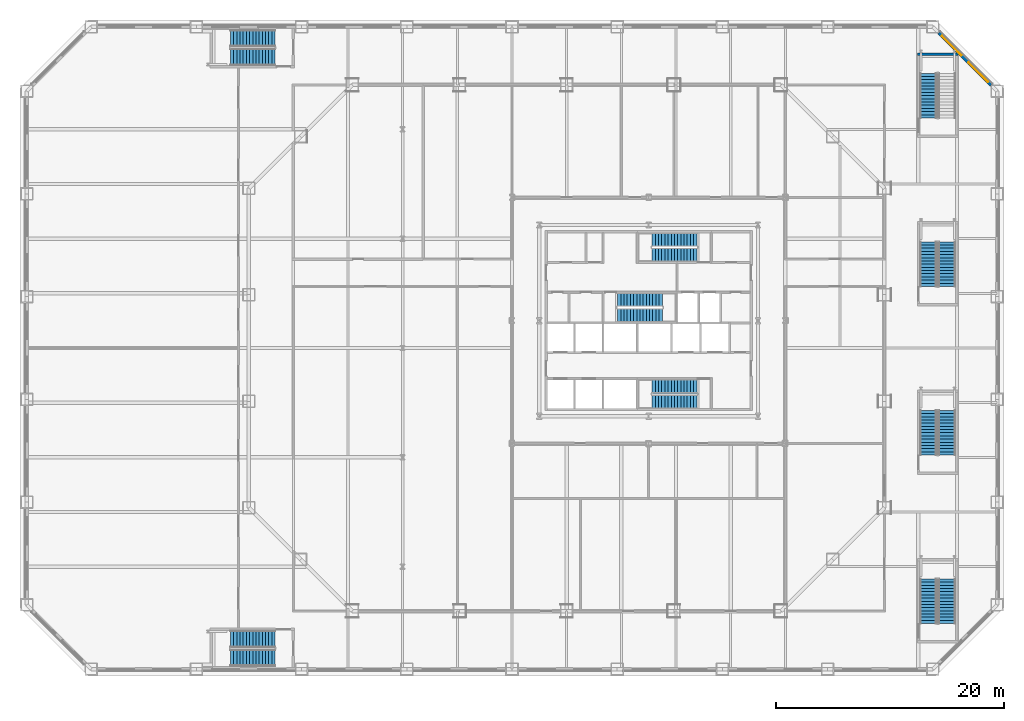
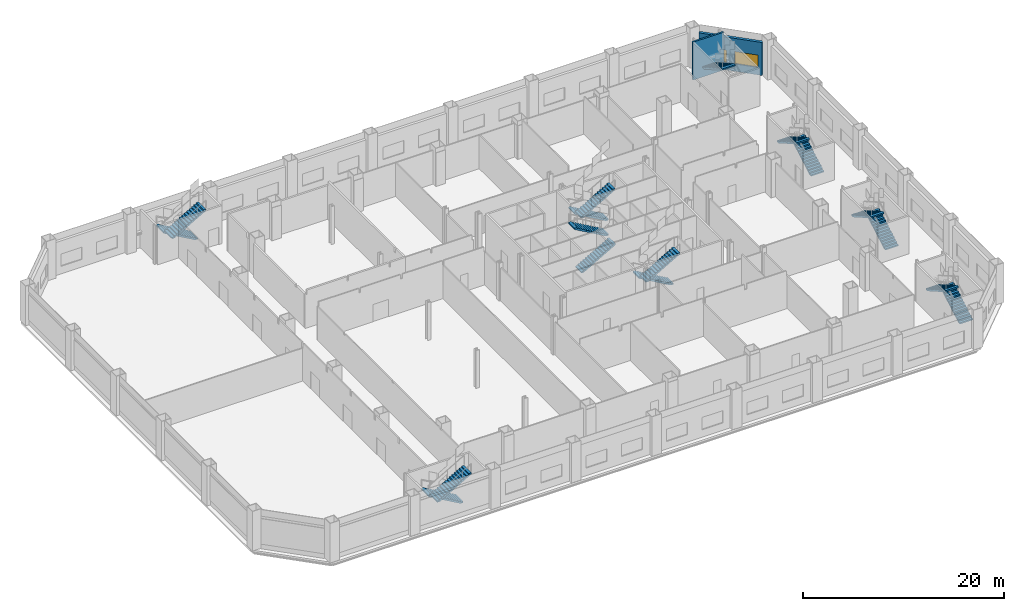
# One storey, part 19 of 26: 17 stair flights, 2 walls, 2 windows, 2 openings, 9 elements without a shape of their own.
"""IFC4 building model written with IfcOpenShell, lengths in metres."""

import ifcopenshell
import ifcopenshell.guid

model = None  # the IFC model being written
_history = None  # IfcOwnerHistory: only IFC2X3 demands one
_inside = {}  # id of a spatial element -> (the spatial element, [elements in it])
_under = {}  # id of a project, library or spatial element -> (it, [spatial elements below it])
_declared = {}  # id of a project -> (the project, [libraries it declares])
_typed = {}  # id of a type object -> (the type object, [elements of that type])
_made_of = {}  # id of a material, layer set ... -> (it, [elements and type objects made of it])


def new_model(schema):
    """Start an empty IFC model of exactly this schema.

    Asked for "IFC4X3", IfcOpenShell would pick the latest addendum, in which some entities
    have other attributes; the version numbers below select the first issue.
    IFC2X3 requires an IfcOwnerHistory on every rooted entity: one is made here for all.
    """
    global model, _history
    if schema == "IFC4X3":
        model = ifcopenshell.file(schema_version=(4, 3, 0, 0))
    else:
        model = ifcopenshell.file(schema=schema)
    _inside.clear()
    _under.clear()
    _declared.clear()
    _typed.clear()
    _made_of.clear()
    _history = None
    if model.schema == "IFC2X3":
        org = make("IfcOrganization", Name="unknown")
        user = make(
            "IfcPersonAndOrganization",
            ThePerson=make("IfcPerson", FamilyName="unknown"),
            TheOrganization=org,
        )
        app = make(
            "IfcApplication",
            ApplicationDeveloper=org,
            Version="unknown",
            ApplicationFullName="unknown",
            ApplicationIdentifier="unknown",
        )
        _history = make(
            "IfcOwnerHistory",
            OwningUser=user,
            OwningApplication=app,
            ChangeAction="ADDED",
            CreationDate=0,
        )
    return model


def make(cls, **values):
    """One entity of the class cls with the attributes given. An attribute that is None is left unset."""
    return model.create_entity(
        cls, **{name: value for name, value in values.items() if value is not None}
    )


def rooted(cls, **values):
    """An entity with a GlobalId (a new one), such as an element, a storey or a relation."""
    return make(cls, GlobalId=ifcopenshell.guid.new(), OwnerHistory=_history, **values)


def si_unit(unit_type, name, prefix=None):
    """IfcSIUnit, for example si_unit("LENGTHUNIT", "METRE", prefix="MILLI")."""
    return make("IfcSIUnit", UnitType=unit_type, Prefix=prefix, Name=name)


def assignment(units):
    """IfcUnitAssignment: the units of a project."""
    return None if units is None else make("IfcUnitAssignment", Units=units)


def point(xyz):
    """IfcCartesianPoint."""
    return None if xyz is None else make("IfcCartesianPoint", Coordinates=xyz)


def direction(xyz):
    """IfcDirection."""
    return None if xyz is None else make("IfcDirection", DirectionRatios=xyz)


def frame(location, z_axis=None, x_axis=None):
    """IfcAxis2Placement3D, a coordinate frame: its origin and axes. An axis left out is left unset."""
    return make(
        "IfcAxis2Placement3D",
        Location=point(location),
        Axis=direction(z_axis),
        RefDirection=direction(x_axis),
    )


def frame_2d(location, x_axis=None):
    """IfcAxis2Placement2D, a coordinate frame in the plane: its origin and x axis."""
    return make(
        "IfcAxis2Placement2D", Location=point(location), RefDirection=direction(x_axis)
    )


def origin():
    """The frame at (0, 0, 0) with its axes left unset."""
    return frame((0.0, 0.0, 0.0))


def place(relative_to, where):
    """IfcLocalPlacement: puts the frame where relative to a parent placement (None: the world)."""
    return make(
        "IfcLocalPlacement", PlacementRelTo=relative_to, RelativePlacement=where
    )


def context(
    kind, dimensions, precision=None, world=None, true_north=None, identifier=None
):
    """IfcGeometricRepresentationContext, for example the 3D "Model" context."""
    return make(
        "IfcGeometricRepresentationContext",
        ContextIdentifier=identifier,
        ContextType=kind,
        CoordinateSpaceDimension=dimensions,
        Precision=precision,
        WorldCoordinateSystem=world,
        TrueNorth=true_north,
    )


def subcontext(parent, identifier, kind, view, scale=None):
    """IfcGeometricRepresentationSubContext, for example "Body" below "Model"."""
    return make(
        "IfcGeometricRepresentationSubContext",
        ContextIdentifier=identifier,
        ContextType=kind,
        ParentContext=parent,
        TargetScale=scale,
        TargetView=view,
    )


def project(units=None, contexts=None):
    """IfcProject with its units and contexts."""
    return rooted(
        "IfcProject",
        Name="project",
        RepresentationContexts=contexts,
        UnitsInContext=assignment(units),
    )


def spatial(cls, under=None, at=None, **own):
    """A site, building, storey or space (cls), placed at a placement, below another one or the project."""
    s = rooted(cls, ObjectPlacement=at, **own)
    if under is not None:
        _under.setdefault(under.id(), (under, []))[1].append(s)
    return s


def polyline(points):
    """IfcPolyline through the points."""
    return make("IfcPolyline", Points=[point(p) for p in points])


def profile(cls, at=None, kind="AREA", **sizes):
    """A parametric profile (cls). Its sizes go by their IFC names, for example OverallWidth=200.0."""
    return make(cls, ProfileType=kind, Position=at, **sizes)


def rectangle(**sizes):
    """IfcRectangleProfileDef."""
    return profile("IfcRectangleProfileDef", **sizes)


def outline(outer, holes=None, kind="AREA"):
    """IfcArbitraryClosedProfileDef: a profile drawn as a closed curve; with holes, ...WithVoids."""
    if holes is None:
        return make("IfcArbitraryClosedProfileDef", ProfileType=kind, OuterCurve=outer)
    return make(
        "IfcArbitraryProfileDefWithVoids",
        ProfileType=kind,
        OuterCurve=outer,
        InnerCurves=holes,
    )


def extrude(swept, where, along, depth):
    """IfcExtrudedAreaSolid: the profile swept, set in the frame where, extruded along a direction by depth."""
    return make(
        "IfcExtrudedAreaSolid",
        SweptArea=swept,
        Position=where,
        ExtrudedDirection=direction(along),
        Depth=depth,
    )


def shape(context_of_items, identifier, shape_type, items):
    """IfcShapeRepresentation: the items that make up one representation, for example the "Body"."""
    return make(
        "IfcShapeRepresentation",
        ContextOfItems=context_of_items,
        RepresentationIdentifier=identifier,
        RepresentationType=shape_type,
        Items=items,
    )


def material(Name=None, Category=None):
    """IfcMaterial."""
    return make("IfcMaterial", Name=Name, Category=Category)


def layer(
    of_material, thickness, ventilated=None, Name=None, Category=None, Priority=None
):
    """IfcMaterialLayer: one layer of a wall or slab, of a material (None: an air gap)."""
    return make(
        "IfcMaterialLayer",
        Material=of_material,
        LayerThickness=thickness,
        IsVentilated=ventilated,
        Name=Name,
        Category=Category,
        Priority=Priority,
    )


def layer_set(layers, Name=None):
    """IfcMaterialLayerSet."""
    return make("IfcMaterialLayerSet", MaterialLayers=layers, LayerSetName=Name)


def made_of(thing, what):
    """Note that an element or type object is made of a material, layer set ...; save() writes the relation."""
    if what is not None:
        _made_of.setdefault(what.id(), (what, []))[1].append(thing)
    return thing


def type_object(cls, material=None, **own):
    """A type object (cls), such as IfcWallType, which elements share."""
    return made_of(rooted(cls, **own), material)


def element(
    cls,
    number,
    at=None,
    inside=None,
    cuts=None,
    type_object=None,
    material=None,
    context=None,
    identifier="Body",
    shape_type=None,
    held_by="IfcProductDefinitionShape",
    body=None,
    shapes=None,
    **own,
):
    """One element of the class cls, such as IfcWall. Its Tag is "e" and its number.

    at: its placement. inside: the storey or other place that contains it. cuts: it is an
    opening in that element (IfcRelVoidsElement). A single representation is given by context,
    identifier, shape_type and body (its items); several are given by shapes. held_by: the class
    of the entity that holds the representations. save() writes the other relations.
    """
    e = rooted(cls, Tag="e%d" % number, ObjectPlacement=at, **own)
    if body is not None:
        shapes = [shape(context, identifier, shape_type, body)]
    if shapes is not None:
        e.Representation = make(held_by, Representations=shapes)
    if inside is not None:
        _inside.setdefault(inside.id(), (inside, []))[1].append(e)
    if cuts is not None:
        rooted(
            "IfcRelVoidsElement", RelatingBuildingElement=cuts, RelatedOpeningElement=e
        )
    if type_object is not None:
        _typed.setdefault(type_object.id(), (type_object, []))[1].append(e)
    return made_of(e, material)


def fill(opening, filler):
    """IfcRelFillsElement: the door or window that sits in an opening."""
    return rooted(
        "IfcRelFillsElement",
        RelatingOpeningElement=opening,
        RelatedBuildingElement=filler,
    )


def aggregate(whole, parts):
    """IfcRelAggregates: a whole, such as a stair, and the parts it consists of."""
    return rooted("IfcRelAggregates", RelatingObject=whole, RelatedObjects=parts)


def save(model, path):
    """Write the relations noted so far, then the file.

    IfcRelAggregates (storeys below a building ...), IfcRelContainedInSpatialStructure (elements
    in a storey), IfcRelDefinesByType, IfcRelAssociatesMaterial and IfcRelDeclares: one each for
    every whole, place, type object, material and project.
    """
    for whole, parts in _under.values():
        aggregate(whole, parts)
    for where, things in _inside.values():
        rooted(
            "IfcRelContainedInSpatialStructure",
            RelatedElements=things,
            RelatingStructure=where,
        )
    for kind, things in _typed.values():
        rooted("IfcRelDefinesByType", RelatedObjects=things, RelatingType=kind)
    for what, things in _made_of.values():
        rooted("IfcRelAssociatesMaterial", RelatedObjects=things, RelatingMaterial=what)
    for by, libraries in _declared.values():
        rooted("IfcRelDeclares", RelatingContext=by, RelatedDefinitions=libraries)
    model.write(path)


model = new_model("IFC4")

# Units and contexts
model_context = context("Model", 3, precision=1e-05, world=origin(), true_north=direction((0.0, 1.0)))
body_context = subcontext(model_context, "Body", "Model", "MODEL_VIEW")
ifc_project = project(units=[si_unit("LENGTHUNIT", "METRE"), si_unit("AREAUNIT", "SQUARE_METRE"), si_unit("VOLUMEUNIT", "CUBIC_METRE"), si_unit("PLANEANGLEUNIT", "RADIAN"), si_unit("MASSUNIT", "GRAM", prefix="KILO")], contexts=[model_context])

# Site, building, storey
site_placement = place(None, origin())
site = spatial("IfcSite", under=ifc_project, at=site_placement, CompositionType="ELEMENT")
building_placement = place(site_placement, origin())
building = spatial("IfcBuilding", under=site, at=building_placement, Name="Cairn Pilgrim Tower", CompositionType="ELEMENT")
storey_placement = place(building_placement, frame((0.0, 0.0, 21.0)))
storey = spatial("IfcBuildingStorey", under=building, at=storey_placement, Name="L03", CompositionType="ELEMENT", Elevation=21.0)

# Wall
ifc_material_1 = material(Name="Concrete C35/45", Category="concrete")
ifc_layer_1 = layer(ifc_material_1, 0.199951171875)
ifc_layer_set_1 = layer_set([ifc_layer_1], Name="PODIUM STAIR WALL 200 EI 120")
wall_type_1 = type_object("IfcWallType", Name="PODIUM STAIR WALL 200 EI 120", PredefinedType="SOLIDWALL", material=ifc_layer_set_1)
wall_1_placement = place(storey_placement, frame((30.800048828125, 25.800048828125, 0.0), z_axis=(0.0, 0.0, 1.0), x_axis=(1.0, 0.0, 0.0)))
element("IfcWall", 1, at=wall_1_placement, inside=storey, type_object=wall_type_1, Name="STAIR SHAFT WALL W077", PredefinedType="SOLIDWALL", context=body_context, shape_type="SweptSolid", body=[
    extrude(rectangle(XDim=3.550048828125, YDim=0.199951171875, at=frame_2d((1.77490234375, 0.0))), origin(), (0.0, 0.0, 1.0), 4.60009765625),
])

# Wall, openings, windows
ifc_material_2 = material(Name="Concrete C35/45 backup wall with bronze aluminium cladding", Category="concrete")
ifc_layer_2 = layer(ifc_material_2, 0.300048828125)
ifc_layer_set_2 = layer_set([ifc_layer_2], Name="PODIUM WALL 300 BRONZE-CLAD")
wall_type_2 = type_object("IfcWallType", Name="PODIUM WALL 300 BRONZE-CLAD", PredefinedType="SOLIDWALL", material=ifc_layer_set_2)
wall_2_placement = place(storey_placement, frame((37.276611328125, 23.07470703125, 0.0), z_axis=(0.0, 0.0, 1.0), x_axis=(-0.707088024292, 0.707125537583, 0.0)))
wall_2 = element("IfcWall", 2, at=wall_2_placement, inside=storey, type_object=wall_type_2, Name="PODIUM EXTERNAL WALL NE1-N1", PredefinedType="SOLIDWALL", context=body_context, shape_type="SweptSolid", body=[
    extrude(rectangle(XDim=6.508056640625, YDim=0.300048828125, at=frame_2d((3.25390625, 0.0))), origin(), (0.0, 0.0, 1.0), 4.0),
])
opening_1_placement = place(wall_2_placement, frame((0.427001953125, 0.0, 0.89990234375)))
opening_1 = element("IfcOpeningElement", 3, at=opening_1_placement, cuts=wall_2, Name="Opening PW15", PredefinedType="OPENING", context=body_context, shape_type="SweptSolid", body=[
    extrude(rectangle(XDim=2.39990234375, YDim=1.5, at=frame_2d((1.199951171875, 0.75))), frame((0.0, 0.16015625, 0.0), z_axis=(0.0, -1.0, 0.0), x_axis=(1.0, 0.0, 0.0)), (0.0, 0.0, 1.0), 0.320068359375),
])
opening_2_placement = place(wall_2_placement, frame((3.68115234375, 0.0, 0.89990234375)))
opening_2 = element("IfcOpeningElement", 4, at=opening_2_placement, cuts=wall_2, Name="Opening PW15", PredefinedType="OPENING", context=body_context, shape_type="SweptSolid", body=[
    extrude(rectangle(XDim=2.39990234375, YDim=1.5, at=frame_2d((1.199951171875, 0.75))), frame((0.0, 0.16015625, 0.0), z_axis=(0.0, -1.0, 0.0), x_axis=(1.0, 0.0, 0.0)), (0.0, 0.0, 1.0), 0.320068359375),
])
ifc_material_3 = material(Name="Bronze anodised aluminium frame with tinted low-E glass", Category="aluminium")
window_type = type_object("IfcWindowType", Name="PODIUM FIXED WINDOW 2400x1500", PartitioningType="SINGLE_PANEL", PredefinedType="WINDOW", material=ifc_material_3)
window_1_placement = place(opening_1_placement, origin())
window_1 = element("IfcWindow", 5, at=window_1_placement, inside=storey, type_object=window_type, Name="PODIUM WINDOW", OverallHeight=1.5, OverallWidth=2.39990234375, PartitioningType="SINGLE_PANEL", PredefinedType="WINDOW", context=body_context, shape_type="SweptSolid", body=[
    extrude(rectangle(XDim=2.39990234375, YDim=1.5, at=frame_2d((1.199951171875, 0.75))), frame((0.0, 0.030029296875, 0.0), z_axis=(0.0, -1.0, 0.0), x_axis=(1.0, 0.0, 0.0)), (0.0, 0.0, 1.0), 0.06005859375),
])
fill(opening_1, window_1)
window_2_placement = place(opening_2_placement, origin())
window_2 = element("IfcWindow", 6, at=window_2_placement, inside=storey, type_object=window_type, Name="PODIUM WINDOW", OverallHeight=1.5, OverallWidth=2.39990234375, PartitioningType="SINGLE_PANEL", PredefinedType="WINDOW", context=body_context, shape_type="SweptSolid", body=[
    extrude(rectangle(XDim=2.39990234375, YDim=1.5, at=frame_2d((1.199951171875, 0.75))), frame((0.0, 0.030029296875, 0.0), z_axis=(0.0, -1.0, 0.0), x_axis=(1.0, 0.0, 0.0)), (0.0, 0.0, 1.0), 0.06005859375),
])
fill(opening_2, window_2)

# Stair, stair flights
stair_type_1 = type_object("IfcStairType", Name="PODIUM EXIT STAIR 1500", PredefinedType="HALF_TURN_STAIR", material=ifc_material_1)
stair_1_placement = place(storey_placement, origin())
stair_1 = element("IfcStair", 7, at=stair_1_placement, inside=storey, type_object=stair_type_1, Name="L03 Exit Stair Hn", PredefinedType="HALF_TURN_STAIR")
stair_flight_type_1 = type_object("IfcStairFlightType", Name="PODIUM STAIR FLIGHT 1500", PredefinedType="STRAIGHT", material=ifc_material_1)
stair_flight_1_placement = place(storey_placement, frame((-25.60009765625, 27.199951171875, 0.0), z_axis=(0.0, 0.0, 1.0), x_axis=(-1.0, 0.0, 0.0)))
stair_flight_1 = element("IfcStairFlight", 8, at=stair_flight_1_placement, type_object=stair_flight_type_1, Name="ST-HN flight 1", NumberOfRisers=15, NumberOfTreads=14, PredefinedType="STRAIGHT", RiserHeight=0.16, TreadLength=0.28, context=body_context, shape_type="SweptSolid", body=[
    extrude(outline(polyline([(0.0, 0.0), (0.0, 0.159912109375), (0.280029296875, 0.159912109375), (0.280029296875, 0.320068359375), (0.56005859375, 0.320068359375), (0.56005859375, 0.47998046875), (0.840087890625, 0.47998046875), (0.840087890625, 0.639892578125), (1.1201171875, 0.639892578125), (1.1201171875, 0.800048828125), (1.39990234375, 0.800048828125), (1.39990234375, 0.9599609375), (1.679931640625, 0.9599609375), (1.679931640625, 1.1201171875), (1.9599609375, 1.1201171875), (1.9599609375, 1.280029296875), (2.239990234375, 1.280029296875), (2.239990234375, 1.43994140625), (2.52001953125, 1.43994140625), (2.52001953125, 1.60009765625), (2.800048828125, 1.60009765625), (2.800048828125, 1.760009765625), (3.080078125, 1.760009765625), (3.080078125, 1.919921875), (3.360107421875, 1.919921875), (3.360107421875, 2.080078125), (3.639892578125, 2.080078125), (3.639892578125, 2.239990234375), (3.919921875, 2.239990234375), (3.919921875, 2.39990234375), (3.919921875, 2.0673828125), (0.30224609375, 0.0), (0.0, 0.0)])), frame((0.0, 0.75, 0.0), z_axis=(0.0, -1.0, 0.0), x_axis=(1.0, 0.0, 0.0)), (0.0, 0.0, 1.0), 1.5),
])
stair_flight_2_placement = place(storey_placement, frame((-29.52001953125, 25.550048828125, 2.39990234375), z_axis=(0.0, 0.0, 1.0), x_axis=(1.0, 0.0, 0.0)))
stair_flight_2 = element("IfcStairFlight", 9, at=stair_flight_2_placement, type_object=stair_flight_type_1, Name="ST-HN flight 2", NumberOfRisers=15, NumberOfTreads=14, PredefinedType="STRAIGHT", RiserHeight=0.16, TreadLength=0.28, context=body_context, shape_type="SweptSolid", body=[
    extrude(outline(polyline([(0.0, 0.0), (0.0, 0.159912109375), (0.280029296875, 0.159912109375), (0.280029296875, 0.320068359375), (0.56005859375, 0.320068359375), (0.56005859375, 0.47998046875), (0.840087890625, 0.47998046875), (0.840087890625, 0.639892578125), (1.1201171875, 0.639892578125), (1.1201171875, 0.800048828125), (1.39990234375, 0.800048828125), (1.39990234375, 0.9599609375), (1.679931640625, 0.9599609375), (1.679931640625, 1.1201171875), (1.9599609375, 1.1201171875), (1.9599609375, 1.280029296875), (2.239990234375, 1.280029296875), (2.239990234375, 1.43994140625), (2.52001953125, 1.43994140625), (2.52001953125, 1.60009765625), (2.800048828125, 1.60009765625), (2.800048828125, 1.760009765625), (3.080078125, 1.760009765625), (3.080078125, 1.919921875), (3.360107421875, 1.919921875), (3.360107421875, 2.080078125), (3.639892578125, 2.080078125), (3.639892578125, 2.239990234375), (3.919921875, 2.239990234375), (3.919921875, 2.39990234375), (3.919921875, 2.0673828125), (0.30224609375, 0.0), (0.0, 0.0)])), frame((0.0, 0.75, 0.0), z_axis=(0.0, -1.0, 0.0), x_axis=(1.0, 0.0, 0.0)), (0.0, 0.0, 1.0), 1.5),
])
aggregate(stair_1, [stair_flight_1, stair_flight_2])

stair_2_placement = place(storey_placement, origin())
stair_2 = element("IfcStair", 10, at=stair_2_placement, inside=storey, type_object=stair_type_1, Name="L03 Exit Stair Hs", PredefinedType="HALF_TURN_STAIR")
stair_flight_3_placement = place(storey_placement, frame((-25.60009765625, -25.550048828125, 0.0), z_axis=(0.0, 0.0, 1.0), x_axis=(-1.0, 0.0, 0.0)))
stair_flight_3 = element("IfcStairFlight", 11, at=stair_flight_3_placement, type_object=stair_flight_type_1, Name="ST-HS flight 1", NumberOfRisers=15, NumberOfTreads=14, PredefinedType="STRAIGHT", RiserHeight=0.16, TreadLength=0.28, context=body_context, shape_type="SweptSolid", body=[
    extrude(outline(polyline([(0.0, 0.0), (0.0, 0.159912109375), (0.280029296875, 0.159912109375), (0.280029296875, 0.320068359375), (0.56005859375, 0.320068359375), (0.56005859375, 0.47998046875), (0.840087890625, 0.47998046875), (0.840087890625, 0.639892578125), (1.1201171875, 0.639892578125), (1.1201171875, 0.800048828125), (1.39990234375, 0.800048828125), (1.39990234375, 0.9599609375), (1.679931640625, 0.9599609375), (1.679931640625, 1.1201171875), (1.9599609375, 1.1201171875), (1.9599609375, 1.280029296875), (2.239990234375, 1.280029296875), (2.239990234375, 1.43994140625), (2.52001953125, 1.43994140625), (2.52001953125, 1.60009765625), (2.800048828125, 1.60009765625), (2.800048828125, 1.760009765625), (3.080078125, 1.760009765625), (3.080078125, 1.919921875), (3.360107421875, 1.919921875), (3.360107421875, 2.080078125), (3.639892578125, 2.080078125), (3.639892578125, 2.239990234375), (3.919921875, 2.239990234375), (3.919921875, 2.39990234375), (3.919921875, 2.0673828125), (0.30224609375, 0.0), (0.0, 0.0)])), frame((0.0, 0.75, 0.0), z_axis=(0.0, -1.0, 0.0), x_axis=(1.0, 0.0, 0.0)), (0.0, 0.0, 1.0), 1.5),
])
stair_flight_4_placement = place(storey_placement, frame((-29.52001953125, -27.199951171875, 2.39990234375), z_axis=(0.0, 0.0, 1.0), x_axis=(1.0, 0.0, 0.0)))
stair_flight_4 = element("IfcStairFlight", 12, at=stair_flight_4_placement, type_object=stair_flight_type_1, Name="ST-HS flight 2", NumberOfRisers=15, NumberOfTreads=14, PredefinedType="STRAIGHT", RiserHeight=0.16, TreadLength=0.28, context=body_context, shape_type="SweptSolid", body=[
    extrude(outline(polyline([(0.0, 0.0), (0.0, 0.159912109375), (0.280029296875, 0.159912109375), (0.280029296875, 0.320068359375), (0.56005859375, 0.320068359375), (0.56005859375, 0.47998046875), (0.840087890625, 0.47998046875), (0.840087890625, 0.639892578125), (1.1201171875, 0.639892578125), (1.1201171875, 0.800048828125), (1.39990234375, 0.800048828125), (1.39990234375, 0.9599609375), (1.679931640625, 0.9599609375), (1.679931640625, 1.1201171875), (1.9599609375, 1.1201171875), (1.9599609375, 1.280029296875), (2.239990234375, 1.280029296875), (2.239990234375, 1.43994140625), (2.52001953125, 1.43994140625), (2.52001953125, 1.60009765625), (2.800048828125, 1.60009765625), (2.800048828125, 1.760009765625), (3.080078125, 1.760009765625), (3.080078125, 1.919921875), (3.360107421875, 1.919921875), (3.360107421875, 2.080078125), (3.639892578125, 2.080078125), (3.639892578125, 2.239990234375), (3.919921875, 2.239990234375), (3.919921875, 2.39990234375), (3.919921875, 2.0673828125), (0.30224609375, 0.0), (0.0, 0.0)])), frame((0.0, 0.75, 0.0), z_axis=(0.0, -1.0, 0.0), x_axis=(1.0, 0.0, 0.0)), (0.0, 0.0, 1.0), 1.5),
])
aggregate(stair_2, [stair_flight_3, stair_flight_4])

stair_3_placement = place(storey_placement, origin())
stair_3 = element("IfcStair", 13, at=stair_3_placement, inside=storey, type_object=stair_type_1, Name="L03 Exit Stair Es1", PredefinedType="HALF_TURN_STAIR")
stair_flight_5_placement = place(storey_placement, frame((33.39990234375, -24.199951171875, 0.0), z_axis=(0.0, 0.0, 1.0), x_axis=(0.0, 1.0, 0.0)))
stair_flight_5 = element("IfcStairFlight", 14, at=stair_flight_5_placement, type_object=stair_flight_type_1, Name="ST-ES1 flight 1", NumberOfRisers=15, NumberOfTreads=14, PredefinedType="STRAIGHT", RiserHeight=0.16, TreadLength=0.28, context=body_context, shape_type="SweptSolid", body=[
    extrude(outline(polyline([(0.0, 0.0), (0.0, 0.159912109375), (0.280029296875, 0.159912109375), (0.280029296875, 0.320068359375), (0.56005859375, 0.320068359375), (0.56005859375, 0.47998046875), (0.840087890625, 0.47998046875), (0.840087890625, 0.639892578125), (1.1201171875, 0.639892578125), (1.1201171875, 0.800048828125), (1.39990234375, 0.800048828125), (1.39990234375, 0.9599609375), (1.679931640625, 0.9599609375), (1.679931640625, 1.1201171875), (1.9599609375, 1.1201171875), (1.9599609375, 1.280029296875), (2.239990234375, 1.280029296875), (2.239990234375, 1.43994140625), (2.52001953125, 1.43994140625), (2.52001953125, 1.60009765625), (2.800048828125, 1.60009765625), (2.800048828125, 1.760009765625), (3.080078125, 1.760009765625), (3.080078125, 1.919921875), (3.360107421875, 1.919921875), (3.360107421875, 2.080078125), (3.639892578125, 2.080078125), (3.639892578125, 2.239990234375), (3.919921875, 2.239990234375), (3.919921875, 2.39990234375), (3.919921875, 2.0673828125), (0.30224609375, 0.0), (0.0, 0.0)])), frame((0.0, 0.75, 0.0), z_axis=(0.0, -1.0, 0.0), x_axis=(1.0, 0.0, 0.0)), (0.0, 0.0, 1.0), 1.5),
])
stair_flight_6_placement = place(storey_placement, frame((31.75, -20.280029296875, 2.39990234375), z_axis=(0.0, 0.0, 1.0), x_axis=(0.0, -1.0, 0.0)))
stair_flight_6 = element("IfcStairFlight", 15, at=stair_flight_6_placement, type_object=stair_flight_type_1, Name="ST-ES1 flight 2", NumberOfRisers=15, NumberOfTreads=14, PredefinedType="STRAIGHT", RiserHeight=0.16, TreadLength=0.28, context=body_context, shape_type="SweptSolid", body=[
    extrude(outline(polyline([(0.0, 0.0), (0.0, 0.159912109375), (0.280029296875, 0.159912109375), (0.280029296875, 0.320068359375), (0.56005859375, 0.320068359375), (0.56005859375, 0.47998046875), (0.840087890625, 0.47998046875), (0.840087890625, 0.639892578125), (1.1201171875, 0.639892578125), (1.1201171875, 0.800048828125), (1.39990234375, 0.800048828125), (1.39990234375, 0.9599609375), (1.679931640625, 0.9599609375), (1.679931640625, 1.1201171875), (1.9599609375, 1.1201171875), (1.9599609375, 1.280029296875), (2.239990234375, 1.280029296875), (2.239990234375, 1.43994140625), (2.52001953125, 1.43994140625), (2.52001953125, 1.60009765625), (2.800048828125, 1.60009765625), (2.800048828125, 1.760009765625), (3.080078125, 1.760009765625), (3.080078125, 1.919921875), (3.360107421875, 1.919921875), (3.360107421875, 2.080078125), (3.639892578125, 2.080078125), (3.639892578125, 2.239990234375), (3.919921875, 2.239990234375), (3.919921875, 2.39990234375), (3.919921875, 2.0673828125), (0.30224609375, 0.0), (0.0, 0.0)])), frame((0.0, 0.75, 0.0), z_axis=(0.0, -1.0, 0.0), x_axis=(1.0, 0.0, 0.0)), (0.0, 0.0, 1.0), 1.5),
])
aggregate(stair_3, [stair_flight_5, stair_flight_6])

stair_4_placement = place(storey_placement, origin())
stair_4 = element("IfcStair", 16, at=stair_4_placement, inside=storey, type_object=stair_type_1, Name="L03 Exit Stair Es2", PredefinedType="HALF_TURN_STAIR")
stair_flight_7_placement = place(storey_placement, frame((33.39990234375, -9.39990234375, 0.0), z_axis=(0.0, 0.0, 1.0), x_axis=(0.0, 1.0, 0.0)))
stair_flight_7 = element("IfcStairFlight", 17, at=stair_flight_7_placement, type_object=stair_flight_type_1, Name="ST-ES2 flight 1", NumberOfRisers=15, NumberOfTreads=14, PredefinedType="STRAIGHT", RiserHeight=0.16, TreadLength=0.28, context=body_context, shape_type="SweptSolid", body=[
    extrude(outline(polyline([(0.0, 0.0), (0.0, 0.159912109375), (0.280029296875, 0.159912109375), (0.280029296875, 0.320068359375), (0.56005859375, 0.320068359375), (0.56005859375, 0.47998046875), (0.840087890625, 0.47998046875), (0.840087890625, 0.639892578125), (1.1201171875, 0.639892578125), (1.1201171875, 0.800048828125), (1.39990234375, 0.800048828125), (1.39990234375, 0.9599609375), (1.679931640625, 0.9599609375), (1.679931640625, 1.1201171875), (1.9599609375, 1.1201171875), (1.9599609375, 1.280029296875), (2.239990234375, 1.280029296875), (2.239990234375, 1.43994140625), (2.52001953125, 1.43994140625), (2.52001953125, 1.60009765625), (2.800048828125, 1.60009765625), (2.800048828125, 1.760009765625), (3.080078125, 1.760009765625), (3.080078125, 1.919921875), (3.360107421875, 1.919921875), (3.360107421875, 2.080078125), (3.639892578125, 2.080078125), (3.639892578125, 2.239990234375), (3.919921875, 2.239990234375), (3.919921875, 2.39990234375), (3.919921875, 2.0673828125), (0.30224609375, 0.0), (0.0, 0.0)])), frame((0.0, 0.75, 0.0), z_axis=(0.0, -1.0, 0.0), x_axis=(1.0, 0.0, 0.0)), (0.0, 0.0, 1.0), 1.5),
])
stair_flight_8_placement = place(storey_placement, frame((31.75, -5.47998046875, 2.39990234375), z_axis=(0.0, 0.0, 1.0), x_axis=(0.0, -1.0, 0.0)))
stair_flight_8 = element("IfcStairFlight", 18, at=stair_flight_8_placement, type_object=stair_flight_type_1, Name="ST-ES2 flight 2", NumberOfRisers=15, NumberOfTreads=14, PredefinedType="STRAIGHT", RiserHeight=0.16, TreadLength=0.28, context=body_context, shape_type="SweptSolid", body=[
    extrude(outline(polyline([(0.0, 0.0), (0.0, 0.159912109375), (0.280029296875, 0.159912109375), (0.280029296875, 0.320068359375), (0.56005859375, 0.320068359375), (0.56005859375, 0.47998046875), (0.840087890625, 0.47998046875), (0.840087890625, 0.639892578125), (1.1201171875, 0.639892578125), (1.1201171875, 0.800048828125), (1.39990234375, 0.800048828125), (1.39990234375, 0.9599609375), (1.679931640625, 0.9599609375), (1.679931640625, 1.1201171875), (1.9599609375, 1.1201171875), (1.9599609375, 1.280029296875), (2.239990234375, 1.280029296875), (2.239990234375, 1.43994140625), (2.52001953125, 1.43994140625), (2.52001953125, 1.60009765625), (2.800048828125, 1.60009765625), (2.800048828125, 1.760009765625), (3.080078125, 1.760009765625), (3.080078125, 1.919921875), (3.360107421875, 1.919921875), (3.360107421875, 2.080078125), (3.639892578125, 2.080078125), (3.639892578125, 2.239990234375), (3.919921875, 2.239990234375), (3.919921875, 2.39990234375), (3.919921875, 2.0673828125), (0.30224609375, 0.0), (0.0, 0.0)])), frame((0.0, 0.75, 0.0), z_axis=(0.0, -1.0, 0.0), x_axis=(1.0, 0.0, 0.0)), (0.0, 0.0, 1.0), 1.5),
])
aggregate(stair_4, [stair_flight_7, stair_flight_8])

stair_5_placement = place(storey_placement, origin())
stair_5 = element("IfcStair", 19, at=stair_5_placement, inside=storey, type_object=stair_type_1, Name="L03 Exit Stair Es3", PredefinedType="HALF_TURN_STAIR")
stair_flight_9_placement = place(storey_placement, frame((33.39990234375, 5.39990234375, 0.0), z_axis=(0.0, 0.0, 1.0), x_axis=(0.0, 1.0, 0.0)))
stair_flight_9 = element("IfcStairFlight", 20, at=stair_flight_9_placement, type_object=stair_flight_type_1, Name="ST-ES3 flight 1", NumberOfRisers=15, NumberOfTreads=14, PredefinedType="STRAIGHT", RiserHeight=0.16, TreadLength=0.28, context=body_context, shape_type="SweptSolid", body=[
    extrude(outline(polyline([(0.0, 0.0), (0.0, 0.159912109375), (0.280029296875, 0.159912109375), (0.280029296875, 0.320068359375), (0.56005859375, 0.320068359375), (0.56005859375, 0.47998046875), (0.840087890625, 0.47998046875), (0.840087890625, 0.639892578125), (1.1201171875, 0.639892578125), (1.1201171875, 0.800048828125), (1.39990234375, 0.800048828125), (1.39990234375, 0.9599609375), (1.679931640625, 0.9599609375), (1.679931640625, 1.1201171875), (1.9599609375, 1.1201171875), (1.9599609375, 1.280029296875), (2.239990234375, 1.280029296875), (2.239990234375, 1.43994140625), (2.52001953125, 1.43994140625), (2.52001953125, 1.60009765625), (2.800048828125, 1.60009765625), (2.800048828125, 1.760009765625), (3.080078125, 1.760009765625), (3.080078125, 1.919921875), (3.360107421875, 1.919921875), (3.360107421875, 2.080078125), (3.639892578125, 2.080078125), (3.639892578125, 2.239990234375), (3.919921875, 2.239990234375), (3.919921875, 2.39990234375), (3.919921875, 2.0673828125), (0.30224609375, 0.0), (0.0, 0.0)])), frame((0.0, 0.75, 0.0), z_axis=(0.0, -1.0, 0.0), x_axis=(1.0, 0.0, 0.0)), (0.0, 0.0, 1.0), 1.5),
])
stair_flight_10_placement = place(storey_placement, frame((31.75, 9.320068359375, 2.39990234375), z_axis=(0.0, 0.0, 1.0), x_axis=(0.0, -1.0, 0.0)))
stair_flight_10 = element("IfcStairFlight", 21, at=stair_flight_10_placement, type_object=stair_flight_type_1, Name="ST-ES3 flight 2", NumberOfRisers=15, NumberOfTreads=14, PredefinedType="STRAIGHT", RiserHeight=0.16, TreadLength=0.28, context=body_context, shape_type="SweptSolid", body=[
    extrude(outline(polyline([(0.0, 0.0), (0.0, 0.159912109375), (0.280029296875, 0.159912109375), (0.280029296875, 0.320068359375), (0.56005859375, 0.320068359375), (0.56005859375, 0.47998046875), (0.840087890625, 0.47998046875), (0.840087890625, 0.639892578125), (1.1201171875, 0.639892578125), (1.1201171875, 0.800048828125), (1.39990234375, 0.800048828125), (1.39990234375, 0.9599609375), (1.679931640625, 0.9599609375), (1.679931640625, 1.1201171875), (1.9599609375, 1.1201171875), (1.9599609375, 1.280029296875), (2.239990234375, 1.280029296875), (2.239990234375, 1.43994140625), (2.52001953125, 1.43994140625), (2.52001953125, 1.60009765625), (2.800048828125, 1.60009765625), (2.800048828125, 1.760009765625), (3.080078125, 1.760009765625), (3.080078125, 1.919921875), (3.360107421875, 1.919921875), (3.360107421875, 2.080078125), (3.639892578125, 2.080078125), (3.639892578125, 2.239990234375), (3.919921875, 2.239990234375), (3.919921875, 2.39990234375), (3.919921875, 2.0673828125), (0.30224609375, 0.0), (0.0, 0.0)])), frame((0.0, 0.75, 0.0), z_axis=(0.0, -1.0, 0.0), x_axis=(1.0, 0.0, 0.0)), (0.0, 0.0, 1.0), 1.5),
])
aggregate(stair_5, [stair_flight_9, stair_flight_10])

# Stair, stair flight
stair_6_placement = place(storey_placement, origin())
stair_6 = element("IfcStair", 22, at=stair_6_placement, inside=storey, type_object=stair_type_1, Name="L03 Exit Stair Es4", PredefinedType="HALF_TURN_STAIR")
stair_flight_11_placement = place(storey_placement, frame((31.75, 24.1201171875, 2.39990234375), z_axis=(0.0, 0.0, 1.0), x_axis=(0.0, -1.0, 0.0)))
stair_flight_11 = element("IfcStairFlight", 23, at=stair_flight_11_placement, type_object=stair_flight_type_1, Name="ST-ES4 flight 2", NumberOfRisers=15, NumberOfTreads=14, PredefinedType="STRAIGHT", RiserHeight=0.16, TreadLength=0.28, context=body_context, shape_type="SweptSolid", body=[
    extrude(outline(polyline([(0.0, 0.0), (0.0, 0.159912109375), (0.280029296875, 0.159912109375), (0.280029296875, 0.320068359375), (0.56005859375, 0.320068359375), (0.56005859375, 0.47998046875), (0.840087890625, 0.47998046875), (0.840087890625, 0.639892578125), (1.1201171875, 0.639892578125), (1.1201171875, 0.800048828125), (1.39990234375, 0.800048828125), (1.39990234375, 0.9599609375), (1.679931640625, 0.9599609375), (1.679931640625, 1.1201171875), (1.9599609375, 1.1201171875), (1.9599609375, 1.280029296875), (2.239990234375, 1.280029296875), (2.239990234375, 1.43994140625), (2.52001953125, 1.43994140625), (2.52001953125, 1.60009765625), (2.800048828125, 1.60009765625), (2.800048828125, 1.760009765625), (3.080078125, 1.760009765625), (3.080078125, 1.919921875), (3.360107421875, 1.919921875), (3.360107421875, 2.080078125), (3.639892578125, 2.080078125), (3.639892578125, 2.239990234375), (3.919921875, 2.239990234375), (3.919921875, 2.39990234375), (3.919921875, 2.0673828125), (0.30224609375, 0.0), (0.0, 0.0)])), frame((0.0, 0.75, 0.0), z_axis=(0.0, -1.0, 0.0), x_axis=(1.0, 0.0, 0.0)), (0.0, 0.0, 1.0), 1.5),
])
aggregate(stair_6, [stair_flight_11])

# Stair, stair flights
ifc_material_4 = material(Name="Concrete C32/40", Category="concrete")
stair_type_2 = type_object("IfcStairType", Name="EXIT STAIR 1200", PredefinedType="HALF_TURN_STAIR", material=ifc_material_4)
stair_7_placement = place(storey_placement, origin())
stair_7 = element("IfcStair", 24, at=stair_7_placement, inside=storey, type_object=stair_type_2, Name="L03 Exit Stair A", PredefinedType="HALF_TURN_STAIR")
stair_flight_type_2 = type_object("IfcStairFlightType", Name="STAIR FLIGHT 1200", PredefinedType="STRAIGHT", material=ifc_material_4)
stair_flight_12_placement = place(storey_placement, frame((11.425048828125, -3.375, 0.0), z_axis=(0.0, 0.0, 1.0), x_axis=(-1.0, 0.0, 0.0)))
stair_flight_12 = element("IfcStairFlight", 25, at=stair_flight_12_placement, type_object=stair_flight_type_2, Name="ST-A flight 1", NumberOfRisers=15, NumberOfTreads=14, PredefinedType="STRAIGHT", RiserHeight=0.16, TreadLength=0.28, context=body_context, shape_type="SweptSolid", body=[
    extrude(outline(polyline([(0.0, 0.0), (0.0, 0.159912109375), (0.280029296875, 0.159912109375), (0.280029296875, 0.320068359375), (0.56005859375, 0.320068359375), (0.56005859375, 0.47998046875), (0.840087890625, 0.47998046875), (0.840087890625, 0.639892578125), (1.1201171875, 0.639892578125), (1.1201171875, 0.800048828125), (1.39990234375, 0.800048828125), (1.39990234375, 0.9599609375), (1.679931640625, 0.9599609375), (1.679931640625, 1.1201171875), (1.9599609375, 1.1201171875), (1.9599609375, 1.280029296875), (2.239990234375, 1.280029296875), (2.239990234375, 1.43994140625), (2.52001953125, 1.43994140625), (2.52001953125, 1.60009765625), (2.800048828125, 1.60009765625), (2.800048828125, 1.760009765625), (3.080078125, 1.760009765625), (3.080078125, 1.919921875), (3.360107421875, 1.919921875), (3.360107421875, 2.080078125), (3.639892578125, 2.080078125), (3.639892578125, 2.239990234375), (3.919921875, 2.239990234375), (3.919921875, 2.39990234375), (3.919921875, 2.0673828125), (0.30224609375, 0.0), (0.0, 0.0)])), frame((0.0, 0.60009765625, 0.0), z_axis=(0.0, -1.0, 0.0), x_axis=(1.0, 0.0, 0.0)), (0.0, 0.0, 1.0), 1.199951171875),
])
stair_flight_13_placement = place(storey_placement, frame((7.5048828125, -4.699951171875, 2.39990234375), z_axis=(0.0, 0.0, 1.0), x_axis=(1.0, 0.0, 0.0)))
stair_flight_13 = element("IfcStairFlight", 26, at=stair_flight_13_placement, type_object=stair_flight_type_2, Name="ST-A flight 2", NumberOfRisers=15, NumberOfTreads=14, PredefinedType="STRAIGHT", RiserHeight=0.16, TreadLength=0.28, context=body_context, shape_type="SweptSolid", body=[
    extrude(outline(polyline([(0.0, 0.0), (0.0, 0.159912109375), (0.280029296875, 0.159912109375), (0.280029296875, 0.320068359375), (0.56005859375, 0.320068359375), (0.56005859375, 0.47998046875), (0.840087890625, 0.47998046875), (0.840087890625, 0.639892578125), (1.1201171875, 0.639892578125), (1.1201171875, 0.800048828125), (1.39990234375, 0.800048828125), (1.39990234375, 0.9599609375), (1.679931640625, 0.9599609375), (1.679931640625, 1.1201171875), (1.9599609375, 1.1201171875), (1.9599609375, 1.280029296875), (2.239990234375, 1.280029296875), (2.239990234375, 1.43994140625), (2.52001953125, 1.43994140625), (2.52001953125, 1.60009765625), (2.800048828125, 1.60009765625), (2.800048828125, 1.760009765625), (3.080078125, 1.760009765625), (3.080078125, 1.919921875), (3.360107421875, 1.919921875), (3.360107421875, 2.080078125), (3.639892578125, 2.080078125), (3.639892578125, 2.239990234375), (3.919921875, 2.239990234375), (3.919921875, 2.39990234375), (3.919921875, 2.0673828125), (0.30224609375, 0.0), (0.0, 0.0)])), frame((0.0, 0.60009765625, 0.0), z_axis=(0.0, -1.0, 0.0), x_axis=(1.0, 0.0, 0.0)), (0.0, 0.0, 1.0), 1.199951171875),
])
aggregate(stair_7, [stair_flight_12, stair_flight_13])

stair_8_placement = place(storey_placement, origin())
stair_8 = element("IfcStair", 27, at=stair_8_placement, inside=storey, type_object=stair_type_2, Name="L03 Exit Stair B", PredefinedType="HALF_TURN_STAIR")
stair_flight_14_placement = place(storey_placement, frame((4.47509765625, 2.875, 0.0), z_axis=(0.0, 0.0, 1.0), x_axis=(1.0, 0.0, 0.0)))
stair_flight_14 = element("IfcStairFlight", 28, at=stair_flight_14_placement, type_object=stair_flight_type_2, Name="ST-B flight 1", NumberOfRisers=15, NumberOfTreads=14, PredefinedType="STRAIGHT", RiserHeight=0.16, TreadLength=0.28, context=body_context, shape_type="SweptSolid", body=[
    extrude(outline(polyline([(0.0, 0.0), (0.0, 0.159912109375), (0.280029296875, 0.159912109375), (0.280029296875, 0.320068359375), (0.56005859375, 0.320068359375), (0.56005859375, 0.47998046875), (0.840087890625, 0.47998046875), (0.840087890625, 0.639892578125), (1.1201171875, 0.639892578125), (1.1201171875, 0.800048828125), (1.39990234375, 0.800048828125), (1.39990234375, 0.9599609375), (1.679931640625, 0.9599609375), (1.679931640625, 1.1201171875), (1.9599609375, 1.1201171875), (1.9599609375, 1.280029296875), (2.239990234375, 1.280029296875), (2.239990234375, 1.43994140625), (2.52001953125, 1.43994140625), (2.52001953125, 1.60009765625), (2.800048828125, 1.60009765625), (2.800048828125, 1.760009765625), (3.080078125, 1.760009765625), (3.080078125, 1.919921875), (3.360107421875, 1.919921875), (3.360107421875, 2.080078125), (3.639892578125, 2.080078125), (3.639892578125, 2.239990234375), (3.919921875, 2.239990234375), (3.919921875, 2.39990234375), (3.919921875, 2.0673828125), (0.30224609375, 0.0), (0.0, 0.0)])), frame((0.0, 0.60009765625, 0.0), z_axis=(0.0, -1.0, 0.0), x_axis=(1.0, 0.0, 0.0)), (0.0, 0.0, 1.0), 1.199951171875),
])
stair_flight_15_placement = place(storey_placement, frame((8.39501953125, 4.22509765625, 2.39990234375), z_axis=(0.0, 0.0, 1.0), x_axis=(-1.0, 0.0, 0.0)))
stair_flight_15 = element("IfcStairFlight", 29, at=stair_flight_15_placement, type_object=stair_flight_type_2, Name="ST-B flight 2", NumberOfRisers=15, NumberOfTreads=14, PredefinedType="STRAIGHT", RiserHeight=0.16, TreadLength=0.28, context=body_context, shape_type="SweptSolid", body=[
    extrude(outline(polyline([(0.0, 0.0), (0.0, 0.159912109375), (0.280029296875, 0.159912109375), (0.280029296875, 0.320068359375), (0.56005859375, 0.320068359375), (0.56005859375, 0.47998046875), (0.840087890625, 0.47998046875), (0.840087890625, 0.639892578125), (1.1201171875, 0.639892578125), (1.1201171875, 0.800048828125), (1.39990234375, 0.800048828125), (1.39990234375, 0.9599609375), (1.679931640625, 0.9599609375), (1.679931640625, 1.1201171875), (1.9599609375, 1.1201171875), (1.9599609375, 1.280029296875), (2.239990234375, 1.280029296875), (2.239990234375, 1.43994140625), (2.52001953125, 1.43994140625), (2.52001953125, 1.60009765625), (2.800048828125, 1.60009765625), (2.800048828125, 1.760009765625), (3.080078125, 1.760009765625), (3.080078125, 1.919921875), (3.360107421875, 1.919921875), (3.360107421875, 2.080078125), (3.639892578125, 2.080078125), (3.639892578125, 2.239990234375), (3.919921875, 2.239990234375), (3.919921875, 2.39990234375), (3.919921875, 2.0673828125), (0.30224609375, 0.0), (0.0, 0.0)])), frame((0.0, 0.60009765625, 0.0), z_axis=(0.0, -1.0, 0.0), x_axis=(1.0, 0.0, 0.0)), (0.0, 0.0, 1.0), 1.199951171875),
])
aggregate(stair_8, [stair_flight_14, stair_flight_15])

stair_9_placement = place(storey_placement, origin())
stair_9 = element("IfcStair", 30, at=stair_9_placement, inside=storey, type_object=stair_type_2, Name="L03 Exit Stair C", PredefinedType="HALF_TURN_STAIR")
stair_flight_16_placement = place(storey_placement, frame((11.425048828125, 9.5, 0.0), z_axis=(0.0, 0.0, 1.0), x_axis=(-1.0, 0.0, 0.0)))
stair_flight_16 = element("IfcStairFlight", 31, at=stair_flight_16_placement, type_object=stair_flight_type_2, Name="ST-C flight 1", NumberOfRisers=15, NumberOfTreads=14, PredefinedType="STRAIGHT", RiserHeight=0.16, TreadLength=0.28, context=body_context, shape_type="SweptSolid", body=[
    extrude(outline(polyline([(0.0, 0.0), (0.0, 0.159912109375), (0.280029296875, 0.159912109375), (0.280029296875, 0.320068359375), (0.56005859375, 0.320068359375), (0.56005859375, 0.47998046875), (0.840087890625, 0.47998046875), (0.840087890625, 0.639892578125), (1.1201171875, 0.639892578125), (1.1201171875, 0.800048828125), (1.39990234375, 0.800048828125), (1.39990234375, 0.9599609375), (1.679931640625, 0.9599609375), (1.679931640625, 1.1201171875), (1.9599609375, 1.1201171875), (1.9599609375, 1.280029296875), (2.239990234375, 1.280029296875), (2.239990234375, 1.43994140625), (2.52001953125, 1.43994140625), (2.52001953125, 1.60009765625), (2.800048828125, 1.60009765625), (2.800048828125, 1.760009765625), (3.080078125, 1.760009765625), (3.080078125, 1.919921875), (3.360107421875, 1.919921875), (3.360107421875, 2.080078125), (3.639892578125, 2.080078125), (3.639892578125, 2.239990234375), (3.919921875, 2.239990234375), (3.919921875, 2.39990234375), (3.919921875, 2.0673828125), (0.30224609375, 0.0), (0.0, 0.0)])), frame((0.0, 0.60009765625, 0.0), z_axis=(0.0, -1.0, 0.0), x_axis=(1.0, 0.0, 0.0)), (0.0, 0.0, 1.0), 1.199951171875),
])
stair_flight_17_placement = place(storey_placement, frame((7.5048828125, 8.175048828125, 2.39990234375), z_axis=(0.0, 0.0, 1.0), x_axis=(1.0, 0.0, 0.0)))
stair_flight_17 = element("IfcStairFlight", 32, at=stair_flight_17_placement, type_object=stair_flight_type_2, Name="ST-C flight 2", NumberOfRisers=15, NumberOfTreads=14, PredefinedType="STRAIGHT", RiserHeight=0.16, TreadLength=0.28, context=body_context, shape_type="SweptSolid", body=[
    extrude(outline(polyline([(0.0, 0.0), (0.0, 0.159912109375), (0.280029296875, 0.159912109375), (0.280029296875, 0.320068359375), (0.56005859375, 0.320068359375), (0.56005859375, 0.47998046875), (0.840087890625, 0.47998046875), (0.840087890625, 0.639892578125), (1.1201171875, 0.639892578125), (1.1201171875, 0.800048828125), (1.39990234375, 0.800048828125), (1.39990234375, 0.9599609375), (1.679931640625, 0.9599609375), (1.679931640625, 1.1201171875), (1.9599609375, 1.1201171875), (1.9599609375, 1.280029296875), (2.239990234375, 1.280029296875), (2.239990234375, 1.43994140625), (2.52001953125, 1.43994140625), (2.52001953125, 1.60009765625), (2.800048828125, 1.60009765625), (2.800048828125, 1.760009765625), (3.080078125, 1.760009765625), (3.080078125, 1.919921875), (3.360107421875, 1.919921875), (3.360107421875, 2.080078125), (3.639892578125, 2.080078125), (3.639892578125, 2.239990234375), (3.919921875, 2.239990234375), (3.919921875, 2.39990234375), (3.919921875, 2.0673828125), (0.30224609375, 0.0), (0.0, 0.0)])), frame((0.0, 0.60009765625, 0.0), z_axis=(0.0, -1.0, 0.0), x_axis=(1.0, 0.0, 0.0)), (0.0, 0.0, 1.0), 1.199951171875),
])
aggregate(stair_9, [stair_flight_16, stair_flight_17])

save(model, "model.ifc")
